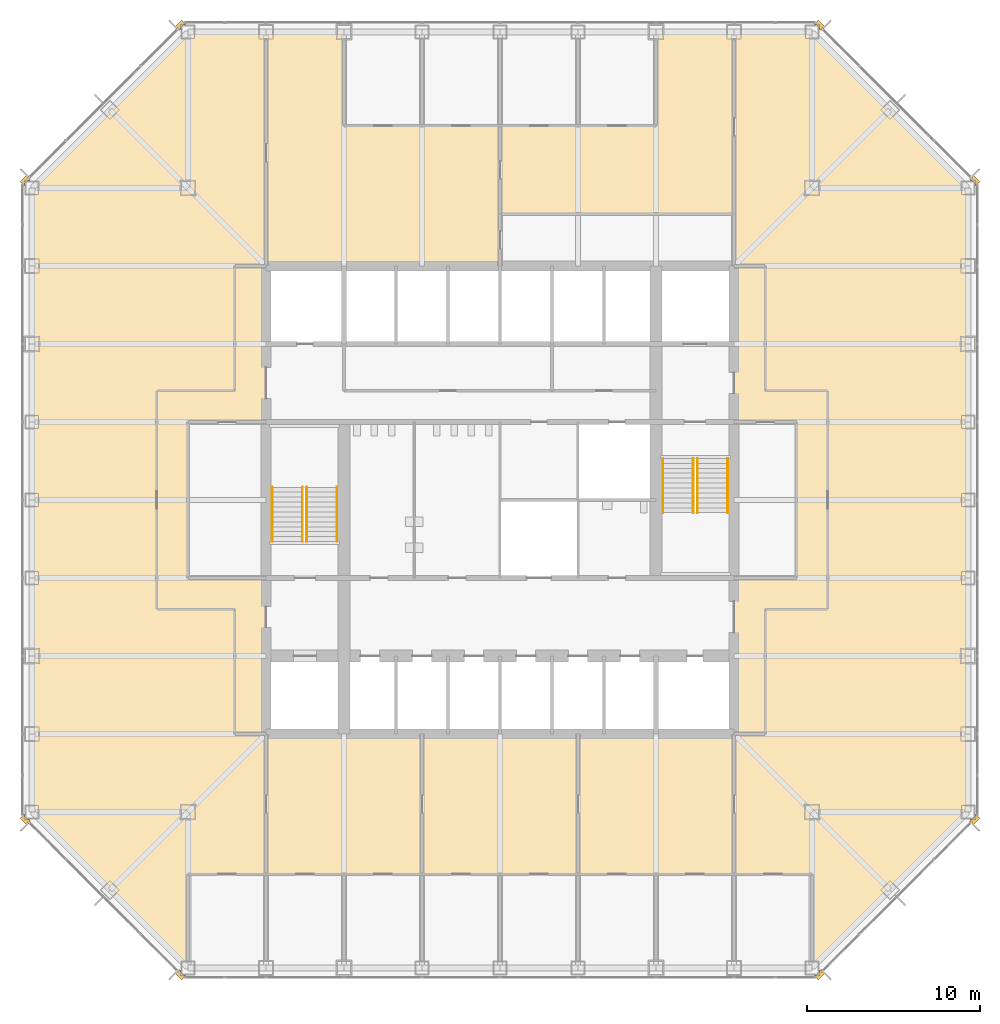
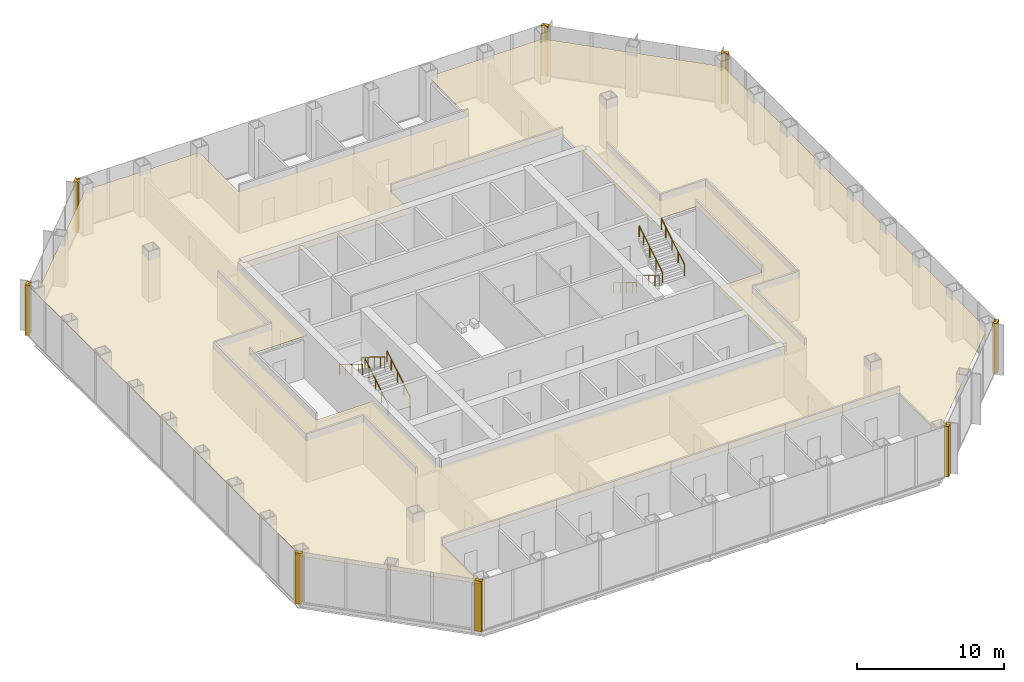
# One storey, part 12 of 13: 9 coverings, 8 railings.
"""IFC4 building model written with IfcOpenShell, lengths in metres."""

from ifc_helpers import new_model, si_unit, direction, frame, origin, origin_2d, place, context, subcontext, project, spatial, polyline, circle, outline, extrude, material, layer, layer_set, type_object, element, save


model = new_model("IFC4")

# Units and contexts
model_context = context("Model", 3, precision=1e-05, world=origin(), true_north=direction((0.0, 1.0)))
body_context = subcontext(model_context, "Body", "Model", "MODEL_VIEW")
ifc_project = project(units=[si_unit("LENGTHUNIT", "METRE"), si_unit("AREAUNIT", "SQUARE_METRE"), si_unit("VOLUMEUNIT", "CUBIC_METRE"), si_unit("PLANEANGLEUNIT", "RADIAN"), si_unit("MASSUNIT", "GRAM", prefix="KILO")], contexts=[model_context])

# Site, building, storey
site_placement = place(None, origin())
site = spatial("IfcSite", under=ifc_project, at=site_placement, CompositionType="ELEMENT")
building_placement = place(site_placement, origin())
building = spatial("IfcBuilding", under=site, at=building_placement, Name="Corais Broadcast Tower", CompositionType="ELEMENT")
storey_placement = place(building_placement, frame((0.0, 0.0, 79.39990234375)))
storey = spatial("IfcBuildingStorey", under=building, at=storey_placement, Name="L17", CompositionType="ELEMENT", Elevation=79.39990234375)

# Railings
ifc_material_1 = material(Name="Stainless steel handrail", Category="steel")
railing_type = type_object("IfcRailingType", Name="Handrail 920", PredefinedType="HANDRAIL", material=ifc_material_1)
for number, where, name in (
    (1, (17.60009765625, 24.60009765625, 0.175048828125), "HR1 L17"),
    (2, (15.85009765625, 24.60009765625, 0.175048828125), "HR1 L17"),
):
    element("IfcRailing", number, at=place(storey_placement, frame(where)), inside=storey, type_object=railing_type, Name=name, PredefinedType="HANDRAIL", context=body_context, shape_type="SweptSolid", body=[
        extrude(circle(Radius=0.02392578125, at=origin_2d()), frame((0.0, 0.0, 0.89599609375), z_axis=(0.0, 0.852166034122, 0.523271488128), x_axis=(-1.0, 0.0, 0.0)), (0.0, 0.0, 1.0), 3.678955078125),
        extrude(circle(Radius=0.02099609375, at=origin_2d()), origin(), (0.0, 0.0, 1.0), 0.871826171875),
        extrude(circle(Radius=0.02099609375, at=origin_2d()), frame((0.0, 0.85498046875, 0.52490234375)), (0.0, 0.0, 1.0), 0.871826171875),
        extrude(circle(Radius=0.02099609375, at=origin_2d()), frame((0.0, 1.7099609375, 1.050048828125)), (0.0, 0.0, 1.0), 0.871826171875),
        extrude(circle(Radius=0.02099609375, at=origin_2d()), frame((0.0, 2.56494140625, 1.574951171875)), (0.0, 0.0, 1.0), 0.871826171875),
        extrude(circle(Radius=0.02099609375, at=origin_2d()), frame((0.0, 3.135009765625, 1.925048828125)), (0.0, 0.0, 1.0), 0.871826171875),
    ])
for number, where, name in (
    (3, (13.85009765625, 27.735107421875, 2.275146484375), "HR1 L17"),
    (4, (15.60009765625, 27.735107421875, 2.275146484375), "HR1 L17"),
    (5, (36.39990234375, 29.39990234375, 0.175048828125), "HR1 L17"),
    (6, (38.14990234375, 29.39990234375, 0.175048828125), "HR1 L17"),
):
    element("IfcRailing", number, at=place(storey_placement, frame(where)), inside=storey, type_object=railing_type, Name=name, PredefinedType="HANDRAIL", context=body_context, shape_type="SweptSolid", body=[
        extrude(circle(Radius=0.02392578125, at=origin_2d()), frame((0.0, 0.0, 0.89599609375), z_axis=(0.0, -0.852166034122, 0.523271488128), x_axis=(1.0, 0.0, 0.0)), (0.0, 0.0, 1.0), 3.678955078125),
        extrude(circle(Radius=0.02099609375, at=origin_2d()), origin(), (0.0, 0.0, 1.0), 0.871826171875),
        extrude(circle(Radius=0.02099609375, at=origin_2d()), frame((0.0, -0.85498046875, 0.52490234375)), (0.0, 0.0, 1.0), 0.871826171875),
        extrude(circle(Radius=0.02099609375, at=origin_2d()), frame((0.0, -1.7099609375, 1.050048828125)), (0.0, 0.0, 1.0), 0.871826171875),
        extrude(circle(Radius=0.02099609375, at=origin_2d()), frame((0.0, -2.56494140625, 1.574951171875)), (0.0, 0.0, 1.0), 0.871826171875),
        extrude(circle(Radius=0.02099609375, at=origin_2d()), frame((0.0, -3.135009765625, 1.925048828125)), (0.0, 0.0, 1.0), 0.871826171875),
    ])
for number, where, name in (
    (7, (40.14990234375, 26.264892578125, 2.275146484375), "HR1 L17"),
    (8, (38.39990234375, 26.264892578125, 2.275146484375), "HR1 L17"),
):
    element("IfcRailing", number, at=place(storey_placement, frame(where)), inside=storey, type_object=railing_type, Name=name, PredefinedType="HANDRAIL", context=body_context, shape_type="SweptSolid", body=[
        extrude(circle(Radius=0.02392578125, at=origin_2d()), frame((0.0, 0.0, 0.89599609375), z_axis=(0.0, 0.852166034122, 0.523271488128), x_axis=(-1.0, 0.0, 0.0)), (0.0, 0.0, 1.0), 3.678955078125),
        extrude(circle(Radius=0.02099609375, at=origin_2d()), origin(), (0.0, 0.0, 1.0), 0.871826171875),
        extrude(circle(Radius=0.02099609375, at=origin_2d()), frame((0.0, 0.85498046875, 0.52490234375)), (0.0, 0.0, 1.0), 0.871826171875),
        extrude(circle(Radius=0.02099609375, at=origin_2d()), frame((0.0, 1.7099609375, 1.050048828125)), (0.0, 0.0, 1.0), 0.871826171875),
        extrude(circle(Radius=0.02099609375, at=origin_2d()), frame((0.0, 2.56494140625, 1.574951171875)), (0.0, 0.0, 1.0), 0.871826171875),
        extrude(circle(Radius=0.02099609375, at=origin_2d()), frame((0.0, 3.135009765625, 1.925048828125)), (0.0, 0.0, 1.0), 0.871826171875),
    ])

# Coverings
ifc_material_2 = material(Name="Granite stone cladding", Category="masonry")
ifc_layer_1 = layer(ifc_material_2, 0.324951171875)
ifc_layer_set_1 = layer_set([ifc_layer_1], Name="Granite stone cladding")
covering_type_1 = type_object("IfcCoveringType", Name="Stone corner pier cladding 500x325", PredefinedType="CLADDING", material=ifc_layer_set_1)
covering_1_placement = place(storey_placement, origin())
element("IfcCovering", 9, at=covering_1_placement, inside=storey, type_object=covering_type_1, Name="SP1 stone corner pier L17", PredefinedType="CLADDING", context=body_context, shape_type="SweptSolid", body=[
    extrude(outline(polyline([(8.860595703125, -0.461669921875), (8.823974609375, -0.425048828125), (8.574951171875, -0.425048828125), (8.574951171875, -0.176025390625), (8.507080078125, -0.108154296875), (8.277099609375, -0.337890625), (8.630859375, -0.69140625), (8.860595703125, -0.461669921875)])), origin(), (0.0, 0.0, 1.0), 4.2001953125),
])
covering_2_placement = place(storey_placement, origin())
element("IfcCovering", 10, at=covering_2_placement, inside=storey, type_object=covering_type_1, Name="SP1 stone corner pier L17", PredefinedType="CLADDING", context=body_context, shape_type="SweptSolid", body=[
    extrude(outline(polyline([(-0.425048828125, 8.823974609375), (-0.461669921875, 8.860595703125), (-0.69140625, 8.630859375), (-0.337890625, 8.277099609375), (-0.108154296875, 8.507080078125), (-0.176025390625, 8.574951171875), (-0.425048828125, 8.574951171875), (-0.425048828125, 8.823974609375)])), origin(), (0.0, 0.0, 1.0), 4.2001953125),
])
covering_3_placement = place(storey_placement, origin())
element("IfcCovering", 11, at=covering_3_placement, inside=storey, type_object=covering_type_1, Name="SP1 stone corner pier L17", PredefinedType="CLADDING", context=body_context, shape_type="SweptSolid", body=[
    extrude(outline(polyline([(-0.461669921875, 45.139404296875), (-0.425048828125, 45.176025390625), (-0.425048828125, 45.425048828125), (-0.176025390625, 45.425048828125), (-0.108154296875, 45.492919921875), (-0.337890625, 45.722900390625), (-0.69140625, 45.369140625), (-0.461669921875, 45.139404296875)])), origin(), (0.0, 0.0, 1.0), 4.2001953125),
])
covering_4_placement = place(storey_placement, origin())
element("IfcCovering", 12, at=covering_4_placement, inside=storey, type_object=covering_type_1, Name="SP1 stone corner pier L17", PredefinedType="CLADDING", context=body_context, shape_type="SweptSolid", body=[
    extrude(outline(polyline([(8.823974609375, 54.425048828125), (8.860595703125, 54.461669921875), (8.630859375, 54.69140625), (8.277099609375, 54.337890625), (8.507080078125, 54.108154296875), (8.574951171875, 54.176025390625), (8.574951171875, 54.425048828125), (8.823974609375, 54.425048828125)])), origin(), (0.0, 0.0, 1.0), 4.2001953125),
])
covering_5_placement = place(storey_placement, origin())
element("IfcCovering", 13, at=covering_5_placement, inside=storey, type_object=covering_type_1, Name="SP1 stone corner pier L17", PredefinedType="CLADDING", context=body_context, shape_type="SweptSolid", body=[
    extrude(outline(polyline([(45.139404296875, 54.461669921875), (45.176025390625, 54.425048828125), (45.425048828125, 54.425048828125), (45.425048828125, 54.176025390625), (45.492919921875, 54.108154296875), (45.722900390625, 54.337890625), (45.369140625, 54.69140625), (45.139404296875, 54.461669921875)])), origin(), (0.0, 0.0, 1.0), 4.2001953125),
])
covering_6_placement = place(storey_placement, origin())
element("IfcCovering", 14, at=covering_6_placement, inside=storey, type_object=covering_type_1, Name="SP1 stone corner pier L17", PredefinedType="CLADDING", context=body_context, shape_type="SweptSolid", body=[
    extrude(outline(polyline([(54.425048828125, 45.176025390625), (54.461669921875, 45.139404296875), (54.69140625, 45.369140625), (54.337890625, 45.722900390625), (54.108154296875, 45.492919921875), (54.176025390625, 45.425048828125), (54.425048828125, 45.425048828125), (54.425048828125, 45.176025390625)])), origin(), (0.0, 0.0, 1.0), 4.2001953125),
])
covering_7_placement = place(storey_placement, origin())
element("IfcCovering", 15, at=covering_7_placement, inside=storey, type_object=covering_type_1, Name="SP1 stone corner pier L17", PredefinedType="CLADDING", context=body_context, shape_type="SweptSolid", body=[
    extrude(outline(polyline([(54.461669921875, 8.860595703125), (54.425048828125, 8.823974609375), (54.425048828125, 8.574951171875), (54.176025390625, 8.574951171875), (54.108154296875, 8.507080078125), (54.337890625, 8.277099609375), (54.69140625, 8.630859375), (54.461669921875, 8.860595703125)])), origin(), (0.0, 0.0, 1.0), 4.2001953125),
])
covering_8_placement = place(storey_placement, origin())
element("IfcCovering", 16, at=covering_8_placement, inside=storey, type_object=covering_type_1, Name="SP1 stone corner pier L17", PredefinedType="CLADDING", context=body_context, shape_type="SweptSolid", body=[
    extrude(outline(polyline([(45.176025390625, -0.425048828125), (45.139404296875, -0.461669921875), (45.369140625, -0.69140625), (45.722900390625, -0.337890625), (45.492919921875, -0.108154296875), (45.425048828125, -0.176025390625), (45.425048828125, -0.425048828125), (45.176025390625, -0.425048828125)])), origin(), (0.0, 0.0, 1.0), 4.2001953125),
])
ifc_material_3 = material(Name="Mineral fibre ceiling tile", Category="mineral")
ifc_layer_2 = layer(ifc_material_3, 0.02001953125)
ifc_layer_set_2 = layer_set([ifc_layer_2], Name="Mineral fibre ceiling tile")
covering_type_2 = type_object("IfcCoveringType", Name="Suspended ceiling", PredefinedType="CEILING", material=ifc_layer_set_2)
covering_9_placement = place(storey_placement, frame((0.0, 0.0, 3.420166015625)))
element("IfcCovering", 17, at=covering_9_placement, inside=storey, type_object=covering_type_2, Name="CE1 ceiling L17", PredefinedType="CEILING", context=body_context, shape_type="SweptSolid", body=[
    extrude(outline(polyline([(9.0, 5.39990234375), (9.0, 0.0), (0.0, 9.0), (0.0, 45.0), (9.0, 54.0), (18.0, 54.0), (18.0, 48.60009765625), (36.0, 48.60009765625), (36.0, 54.0), (45.0, 54.0), (54.0, 45.0), (54.0, 9.0), (45.0, 0.0), (45.0, 5.39990234375), (9.0, 5.39990234375)]), holes=[polyline([(40.5, 13.5), (40.5, 22.5), (44.10009765625, 22.5), (44.10009765625, 31.5), (40.5, 31.5), (40.5, 43.5), (27.0, 43.5), (27.0, 40.5), (13.5, 40.5), (13.5, 31.5), (9.0, 31.5), (9.0, 22.5), (13.5, 22.5), (13.5, 13.5), (40.5, 13.5)])]), origin(), (0.0, 0.0, 1.0), 0.02001953125),
])

save(model, "model.ifc")
